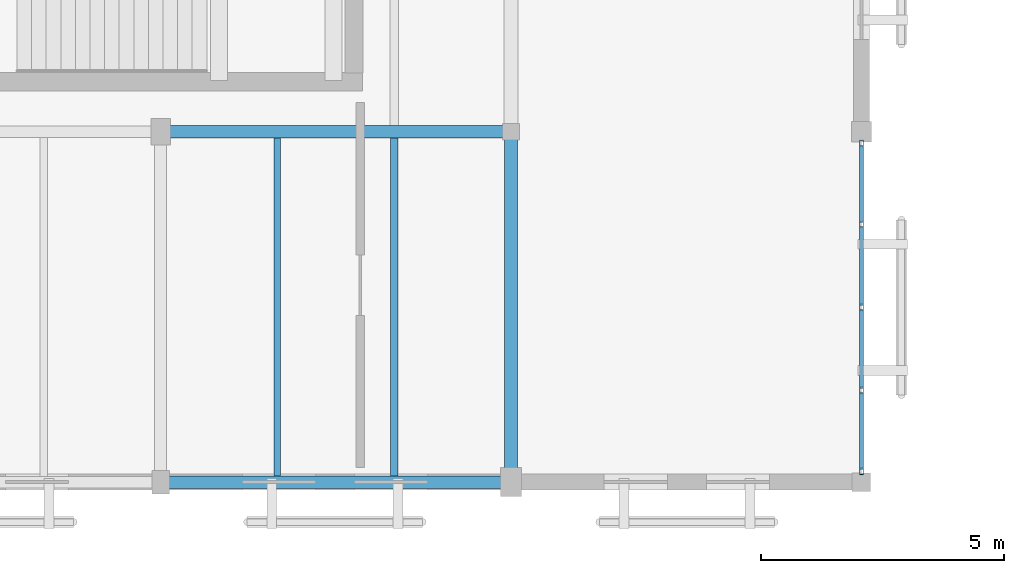
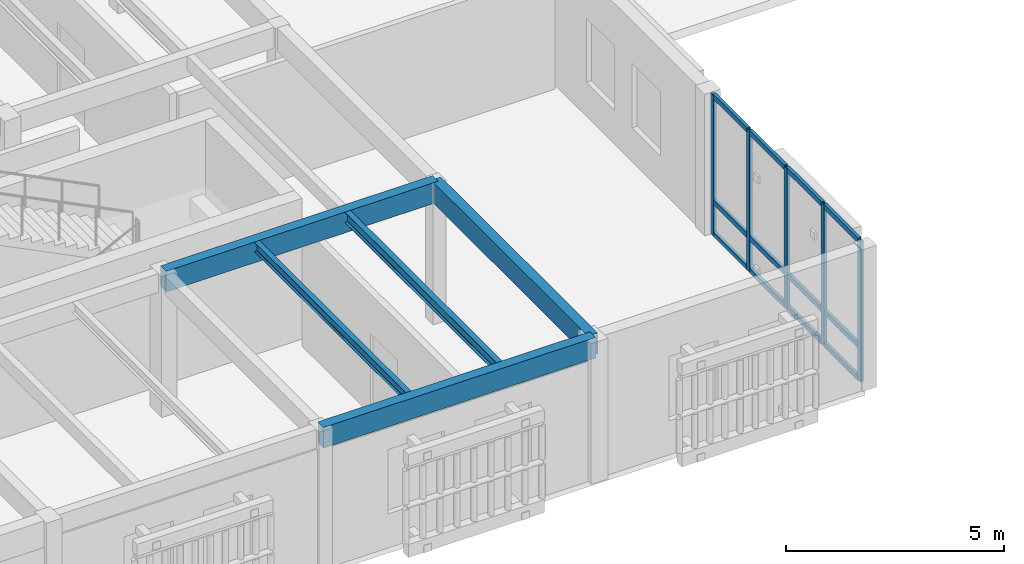
# One storey, part 13 of 61: 17 members, 5 beams, 1 element without a shape of its own.
"""IFC4 building model written with IfcOpenShell, lengths in metres."""

from ifc_helpers import new_model, si_unit, direction, frame, origin, origin_2d, place, context, subcontext, project, spatial, rectangle, hollow_rectangle, i_section, extrude, material, layer, layer_set, material_profile, profile_set, type_object, element, aggregate, save


model = new_model("IFC4")

# Units and contexts
model_context = context("Model", 3, precision=1e-05, world=origin(), true_north=direction((0.0, 1.0)))
body_context = subcontext(model_context, "Body", "Model", "MODEL_VIEW")
ifc_project = project(units=[si_unit("LENGTHUNIT", "METRE"), si_unit("AREAUNIT", "SQUARE_METRE"), si_unit("VOLUMEUNIT", "CUBIC_METRE"), si_unit("PLANEANGLEUNIT", "RADIAN"), si_unit("MASSUNIT", "GRAM", prefix="KILO")], contexts=[model_context])

# Site, building, storey
site_placement = place(None, origin())
site = spatial("IfcSite", under=ifc_project, at=site_placement, CompositionType="ELEMENT")
building_placement = place(site_placement, origin())
building = spatial("IfcBuilding", under=site, at=building_placement, Name="Mazaris Harbour Polytechnic", CompositionType="ELEMENT")
storey_placement = place(building_placement, frame((0.0, 0.0, 18.0)))
storey = spatial("IfcBuildingStorey", under=building, at=storey_placement, Name="L04", CompositionType="ELEMENT", Elevation=18.0)

# Curtain wall, members
ifc_material_1 = material(Name="Anodised Bronze Aluminium and Low-E Glass", Category="aluminium")
ifc_layer = layer(ifc_material_1, 0.159912109375, Name="Anodised Bronze Aluminium and Low-E Glass")
ifc_layer_set = layer_set([ifc_layer], Name="Anodised Bronze Aluminium and Low-E Glass")
curtain_wall_type = type_object("IfcCurtainWallType", Name="Cloister Court Curtain Wall", PredefinedType="NOTDEFINED", material=ifc_layer_set)
curtain_wall_placement = place(storey_placement, origin())
curtain_wall = element("IfcCurtainWall", 1, at=curtain_wall_placement, inside=storey, type_object=curtain_wall_type, Name="V4 L04 Curtain Wall 162", PredefinedType="NOTDEFINED")
ifc_material_2 = material(Name="Anodised Bronze Steel S355", Category="steel")
ifc_material_profile_1 = material_profile(ifc_material_2, hollow_rectangle(XDim=0.080078125, YDim=0.139892578125, WallThickness=0.00634765625, at=origin_2d()), Name="RHS 80x140x6.3")
ifc_profile_set_1 = profile_set([ifc_material_profile_1], Name="Anodised Bronze Steel S355")
member_type_1 = type_object("IfcMemberType", Name="Curtain Mullion RHS80x140", PredefinedType="MULLION", material=ifc_profile_set_1)
member_1_placement = place(storey_placement, frame((43.199951171875, 14.157958984375, 0.0), z_axis=(0.0, 0.0, 1.0), x_axis=(1.0, 0.0, 0.0)))
member_1 = element("IfcMember", 2, at=member_1_placement, type_object=member_type_1, Name="CW-02 mullion 1", PredefinedType="MULLION", context=body_context, shape_type="SweptSolid", body=[
    extrude(hollow_rectangle(XDim=0.080078125, YDim=0.139892578125, WallThickness=0.00634765625, at=origin_2d()), origin(), (0.0, 0.0, 1.0), 3.93505859375),
])
member_2_placement = place(storey_placement, frame((43.199951171875, 12.493896484375, 0.0), z_axis=(0.0, 0.0, 1.0), x_axis=(1.0, 0.0, 0.0)))
member_2 = element("IfcMember", 3, at=member_2_placement, type_object=member_type_1, Name="CW-02 mullion 2", PredefinedType="MULLION", context=body_context, shape_type="SweptSolid", body=[
    extrude(hollow_rectangle(XDim=0.080078125, YDim=0.139892578125, WallThickness=0.00634765625, at=origin_2d()), origin(), (0.0, 0.0, 1.0), 3.93505859375),
])
member_3_placement = place(storey_placement, frame((43.199951171875, 10.7900390625, 0.0), z_axis=(0.0, 0.0, 1.0), x_axis=(1.0, 0.0, 0.0)))
member_3 = element("IfcMember", 4, at=member_3_placement, type_object=member_type_1, Name="CW-02 mullion 3", PredefinedType="MULLION", context=body_context, shape_type="SweptSolid", body=[
    extrude(hollow_rectangle(XDim=0.080078125, YDim=0.139892578125, WallThickness=0.00634765625, at=origin_2d()), origin(), (0.0, 0.0, 1.0), 3.93505859375),
])
member_4_placement = place(storey_placement, frame((43.199951171875, 9.0859375, 0.0), z_axis=(0.0, 0.0, 1.0), x_axis=(1.0, 0.0, 0.0)))
member_4 = element("IfcMember", 5, at=member_4_placement, type_object=member_type_1, Name="CW-02 mullion 4", PredefinedType="MULLION", context=body_context, shape_type="SweptSolid", body=[
    extrude(hollow_rectangle(XDim=0.080078125, YDim=0.139892578125, WallThickness=0.00634765625, at=origin_2d()), origin(), (0.0, 0.0, 1.0), 3.93505859375),
])
member_5_placement = place(storey_placement, frame((43.199951171875, 7.422119140625, 0.0), z_axis=(0.0, 0.0, 1.0), x_axis=(1.0, 0.0, 0.0)))
member_5 = element("IfcMember", 6, at=member_5_placement, type_object=member_type_1, Name="CW-02 mullion 5", PredefinedType="MULLION", context=body_context, shape_type="SweptSolid", body=[
    extrude(hollow_rectangle(XDim=0.080078125, YDim=0.139892578125, WallThickness=0.00634765625, at=origin_2d()), origin(), (0.0, 0.0, 1.0), 3.93505859375),
])
ifc_material_3 = material(Name="Anodised Bronze Steel S355", Category="steel")
ifc_material_profile_2 = material_profile(ifc_material_3, hollow_rectangle(XDim=0.080078125, YDim=0.139892578125, WallThickness=0.00634765625, at=origin_2d()), Name="RHS 80x140x6.3")
ifc_profile_set_2 = profile_set([ifc_material_profile_2], Name="Anodised Bronze Steel S355")
member_type_2 = type_object("IfcMemberType", Name="Curtain Transom RHS80x140", PredefinedType="USERDEFINED", material=ifc_profile_set_2)
member_6_placement = place(storey_placement, frame((43.199951171875, 14.117919921875, 0.0400390625), z_axis=(0.0, -1.0, 0.0), x_axis=(1.0, 0.0, 0.0)))
member_6 = element("IfcMember", 7, at=member_6_placement, type_object=member_type_2, Name="CW-02 transom 1.1", ObjectType="TRANSOM", PredefinedType="USERDEFINED", context=body_context, shape_type="SweptSolid", body=[
    extrude(hollow_rectangle(XDim=0.080078125, YDim=0.139892578125, WallThickness=0.00634765625, at=origin_2d()), origin(), (0.0, 0.0, 1.0), 1.583984375),
])
member_7_placement = place(storey_placement, frame((43.199951171875, 14.117919921875, 0.949951171875), z_axis=(0.0, -1.0, 0.0), x_axis=(1.0, 0.0, 0.0)))
member_7 = element("IfcMember", 8, at=member_7_placement, type_object=member_type_2, Name="CW-02 transom 1.2", ObjectType="TRANSOM", PredefinedType="USERDEFINED", context=body_context, shape_type="SweptSolid", body=[
    extrude(hollow_rectangle(XDim=0.080078125, YDim=0.139892578125, WallThickness=0.00634765625, at=origin_2d()), origin(), (0.0, 0.0, 1.0), 1.583984375),
])
member_8_placement = place(storey_placement, frame((43.199951171875, 14.117919921875, 3.89501953125), z_axis=(0.0, -1.0, 0.0), x_axis=(1.0, 0.0, 0.0)))
member_8 = element("IfcMember", 9, at=member_8_placement, type_object=member_type_2, Name="CW-02 transom 1.3", ObjectType="TRANSOM", PredefinedType="USERDEFINED", context=body_context, shape_type="SweptSolid", body=[
    extrude(hollow_rectangle(XDim=0.080078125, YDim=0.139892578125, WallThickness=0.00634765625, at=origin_2d()), origin(), (0.0, 0.0, 1.0), 1.583984375),
])
member_9_placement = place(storey_placement, frame((43.199951171875, 12.4541015625, 0.0400390625), z_axis=(0.0, -1.0, 0.0), x_axis=(1.0, 0.0, 0.0)))
member_9 = element("IfcMember", 10, at=member_9_placement, type_object=member_type_2, Name="CW-02 transom 2.1", ObjectType="TRANSOM", PredefinedType="USERDEFINED", context=body_context, shape_type="SweptSolid", body=[
    extrude(hollow_rectangle(XDim=0.080078125, YDim=0.139892578125, WallThickness=0.00634765625, at=origin_2d()), origin(), (0.0, 0.0, 1.0), 1.6240234375),
])
member_10_placement = place(storey_placement, frame((43.199951171875, 12.4541015625, 0.949951171875), z_axis=(0.0, -1.0, 0.0), x_axis=(1.0, 0.0, 0.0)))
member_10 = element("IfcMember", 11, at=member_10_placement, type_object=member_type_2, Name="CW-02 transom 2.2", ObjectType="TRANSOM", PredefinedType="USERDEFINED", context=body_context, shape_type="SweptSolid", body=[
    extrude(hollow_rectangle(XDim=0.080078125, YDim=0.139892578125, WallThickness=0.00634765625, at=origin_2d()), origin(), (0.0, 0.0, 1.0), 1.6240234375),
])
member_11_placement = place(storey_placement, frame((43.199951171875, 12.4541015625, 3.89501953125), z_axis=(0.0, -1.0, 0.0), x_axis=(1.0, 0.0, 0.0)))
member_11 = element("IfcMember", 12, at=member_11_placement, type_object=member_type_2, Name="CW-02 transom 2.3", ObjectType="TRANSOM", PredefinedType="USERDEFINED", context=body_context, shape_type="SweptSolid", body=[
    extrude(hollow_rectangle(XDim=0.080078125, YDim=0.139892578125, WallThickness=0.00634765625, at=origin_2d()), origin(), (0.0, 0.0, 1.0), 1.6240234375),
])
member_12_placement = place(storey_placement, frame((43.199951171875, 10.75, 0.0400390625), z_axis=(0.0, -1.0, 0.0), x_axis=(1.0, 0.0, 0.0)))
member_12 = element("IfcMember", 13, at=member_12_placement, type_object=member_type_2, Name="CW-02 transom 3.1", ObjectType="TRANSOM", PredefinedType="USERDEFINED", context=body_context, shape_type="SweptSolid", body=[
    extrude(hollow_rectangle(XDim=0.080078125, YDim=0.139892578125, WallThickness=0.00634765625, at=origin_2d()), origin(), (0.0, 0.0, 1.0), 1.6240234375),
])
member_13_placement = place(storey_placement, frame((43.199951171875, 10.75, 0.949951171875), z_axis=(0.0, -1.0, 0.0), x_axis=(1.0, 0.0, 0.0)))
member_13 = element("IfcMember", 14, at=member_13_placement, type_object=member_type_2, Name="CW-02 transom 3.2", ObjectType="TRANSOM", PredefinedType="USERDEFINED", context=body_context, shape_type="SweptSolid", body=[
    extrude(hollow_rectangle(XDim=0.080078125, YDim=0.139892578125, WallThickness=0.00634765625, at=origin_2d()), origin(), (0.0, 0.0, 1.0), 1.6240234375),
])
member_14_placement = place(storey_placement, frame((43.199951171875, 10.75, 3.89501953125), z_axis=(0.0, -1.0, 0.0), x_axis=(1.0, 0.0, 0.0)))
member_14 = element("IfcMember", 15, at=member_14_placement, type_object=member_type_2, Name="CW-02 transom 3.3", ObjectType="TRANSOM", PredefinedType="USERDEFINED", context=body_context, shape_type="SweptSolid", body=[
    extrude(hollow_rectangle(XDim=0.080078125, YDim=0.139892578125, WallThickness=0.00634765625, at=origin_2d()), origin(), (0.0, 0.0, 1.0), 1.6240234375),
])
member_15_placement = place(storey_placement, frame((43.199951171875, 9.0458984375, 0.0400390625), z_axis=(0.0, -1.0, 0.0), x_axis=(1.0, 0.0, 0.0)))
member_15 = element("IfcMember", 16, at=member_15_placement, type_object=member_type_2, Name="CW-02 transom 4.1", ObjectType="TRANSOM", PredefinedType="USERDEFINED", context=body_context, shape_type="SweptSolid", body=[
    extrude(hollow_rectangle(XDim=0.080078125, YDim=0.139892578125, WallThickness=0.00634765625, at=origin_2d()), origin(), (0.0, 0.0, 1.0), 1.583984375),
])
member_16_placement = place(storey_placement, frame((43.199951171875, 9.0458984375, 0.949951171875), z_axis=(0.0, -1.0, 0.0), x_axis=(1.0, 0.0, 0.0)))
member_16 = element("IfcMember", 17, at=member_16_placement, type_object=member_type_2, Name="CW-02 transom 4.2", ObjectType="TRANSOM", PredefinedType="USERDEFINED", context=body_context, shape_type="SweptSolid", body=[
    extrude(hollow_rectangle(XDim=0.080078125, YDim=0.139892578125, WallThickness=0.00634765625, at=origin_2d()), origin(), (0.0, 0.0, 1.0), 1.583984375),
])
member_17_placement = place(storey_placement, frame((43.199951171875, 9.0458984375, 3.89501953125), z_axis=(0.0, -1.0, 0.0), x_axis=(1.0, 0.0, 0.0)))
member_17 = element("IfcMember", 18, at=member_17_placement, type_object=member_type_2, Name="CW-02 transom 4.3", ObjectType="TRANSOM", PredefinedType="USERDEFINED", context=body_context, shape_type="SweptSolid", body=[
    extrude(hollow_rectangle(XDim=0.080078125, YDim=0.139892578125, WallThickness=0.00634765625, at=origin_2d()), origin(), (0.0, 0.0, 1.0), 1.583984375),
])
aggregate(curtain_wall, [member_1, member_2, member_3, member_4, member_5, member_6, member_7, member_8, member_9, member_10, member_11, member_12, member_13, member_14, member_15, member_16, member_17])

# Beams
ifc_material_4 = material(Name="Glulam GL32h", Category="wood")
ifc_material_profile_3 = material_profile(ifc_material_4, rectangle(XDim=0.260009765625, YDim=0.580078125, at=origin_2d()), Name="RECT260x580")
ifc_profile_set_3 = profile_set([ifc_material_profile_3], Name="Glulam GL32h")
beam_type_1 = type_object("IfcBeamType", Name="Glulam Girder 260x580", PredefinedType="BEAM", material=ifc_profile_set_3)
beam_1_placement = place(storey_placement, frame((28.800048828125, 14.39990234375, 3.64501953125), z_axis=(1.0, 0.0, 0.0), x_axis=(0.0, 1.0, 0.0)))
element("IfcBeam", 19, at=beam_1_placement, inside=storey, type_object=beam_type_1, Name="V4 L04 Girder 2371", PredefinedType="BEAM", context=body_context, shape_type="SweptSolid", body=[
    extrude(rectangle(XDim=0.260009765625, YDim=0.580078125, at=origin_2d()), origin(), (0.0, 0.0, 1.0), 7.199951171875),
])
ifc_material_5 = material(Name="Glulam GL32h", Category="wood")
ifc_material_profile_4 = material_profile(ifc_material_5, rectangle(XDim=0.260009765625, YDim=0.580078125, at=origin_2d()), Name="RECT260x580")
ifc_profile_set_4 = profile_set([ifc_material_profile_4], Name="Glulam GL32h")
beam_type_2 = type_object("IfcBeamType", Name="Glulam Girder 260x580 Exterior", PredefinedType="BEAM", material=ifc_profile_set_4)
for number, where, z_axis, x_axis, name in (
    (20, (28.800048828125, 7.199951171875, 3.64501953125), (1.0, 0.0, 0.0), (0.0, 1.0, 0.0), "V4 L04 Girder 2366"),
    (21, (36.0, 7.199951171875, 3.64501953125), (0.0, 1.0, 0.0), (-1.0, 0.0, 0.0), "V4 L04 Tie Girder 2426"),
):
    element("IfcBeam", number, at=place(storey_placement, frame(where, z_axis=z_axis, x_axis=x_axis)), inside=storey, type_object=beam_type_2, Name=name, PredefinedType="BEAM", context=body_context, shape_type="SweptSolid", body=[
        extrude(rectangle(XDim=0.260009765625, YDim=0.580078125, at=origin_2d()), origin(), (0.0, 0.0, 1.0), 7.199951171875),
    ])
ifc_material_6 = material(Name="Steel S355", Category="steel")
ifc_material_profile_5 = material_profile(ifc_material_6, i_section(OverallWidth=0.135009765625, OverallDepth=0.27001953125, WebThickness=0.006591796875, FlangeThickness=0.01025390625, FilletRadius=0.014892578125, at=origin_2d()), Name="IPE 270")
ifc_profile_set_5 = profile_set([ifc_material_profile_5], Name="Steel S355")
beam_type_3 = type_object("IfcBeamType", Name="Steel Joist IPE270", PredefinedType="JOIST", material=ifc_profile_set_5)
beam_2_placement = place(storey_placement, frame((31.199951171875, 7.330078125, 3.800048828125), z_axis=(0.0, 1.0, 0.0), x_axis=(-1.0, 0.0, 0.0)))
element("IfcBeam", 22, at=beam_2_placement, inside=storey, type_object=beam_type_3, Name="V4 L04 Floor Joist 2473", PredefinedType="JOIST", context=body_context, shape_type="SweptSolid", body=[
    extrude(i_section(OverallWidth=0.135009765625, OverallDepth=0.27001953125, WebThickness=0.006591796875, FlangeThickness=0.01025390625, FilletRadius=0.014892578125, at=origin_2d()), origin(), (0.0, 0.0, 1.0), 6.93994140625),
])
ifc_material_7 = material(Name="Steel S355", Category="steel")
ifc_material_profile_6 = material_profile(ifc_material_7, i_section(OverallWidth=0.14990234375, OverallDepth=0.300048828125, WebThickness=0.007080078125, FlangeThickness=0.0107421875, FilletRadius=0.014892578125, at=origin_2d()), Name="IPE 300")
ifc_profile_set_6 = profile_set([ifc_material_profile_6], Name="Steel S355")
beam_type_4 = type_object("IfcBeamType", Name="Steel Joist IPE300", PredefinedType="JOIST", material=ifc_profile_set_6)
beam_3_placement = place(storey_placement, frame((33.60009765625, 7.330078125, 3.784912109375), z_axis=(0.0, 1.0, 0.0), x_axis=(-1.0, 0.0, 0.0)))
element("IfcBeam", 23, at=beam_3_placement, inside=storey, type_object=beam_type_4, Name="V4 L04 Floor Joist 2474", PredefinedType="JOIST", context=body_context, shape_type="SweptSolid", body=[
    extrude(i_section(OverallWidth=0.14990234375, OverallDepth=0.300048828125, WebThickness=0.007080078125, FlangeThickness=0.0107421875, FilletRadius=0.014892578125, at=origin_2d()), origin(), (0.0, 0.0, 1.0), 6.93994140625),
])

save(model, "model.ifc")
